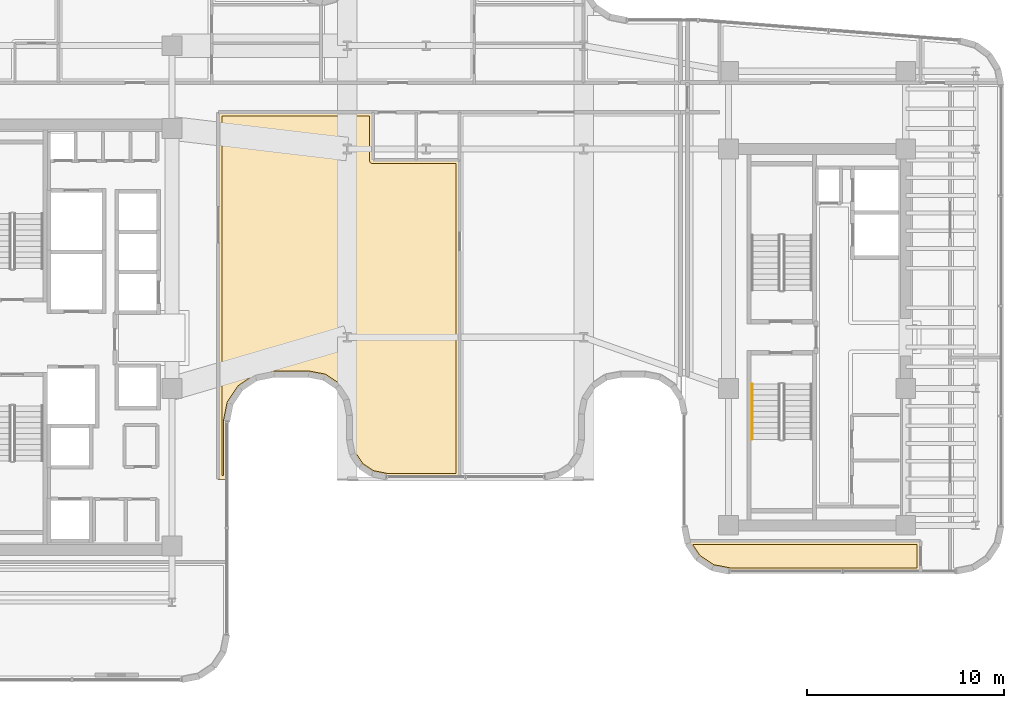
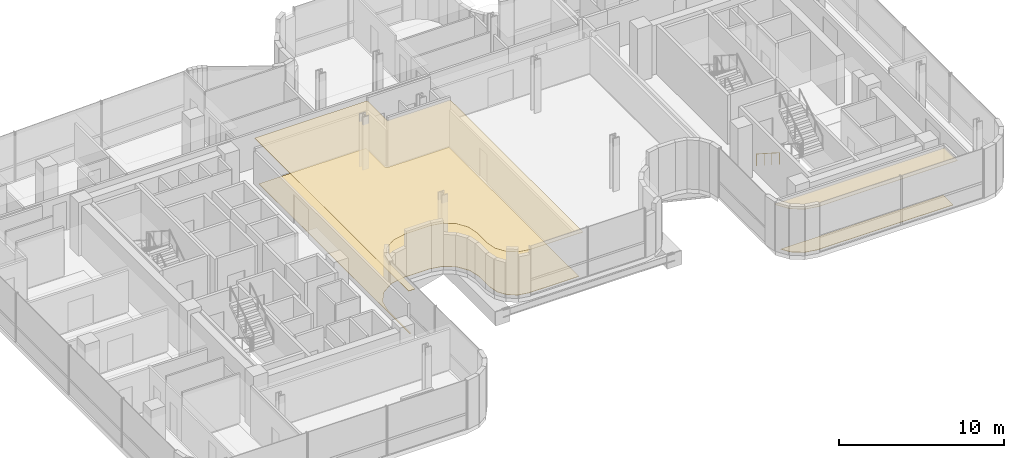
# One storey, part 35 of 39: 4 coverings, 1 railing.
"""IFC4 building model written with IfcOpenShell, lengths in metres."""

from ifc_helpers import new_model, si_unit, direction, frame, origin, origin_2d, place, context, subcontext, project, spatial, polyline, circle, outline, extrude, material, layer, layer_set, type_object, element, save


model = new_model("IFC4")

# Units and contexts
model_context = context("Model", 3, precision=1e-05, world=origin(), true_north=direction((0.0, 1.0)))
body_context = subcontext(model_context, "Body", "Model", "MODEL_VIEW")
ifc_project = project(units=[si_unit("LENGTHUNIT", "METRE"), si_unit("AREAUNIT", "SQUARE_METRE"), si_unit("VOLUMEUNIT", "CUBIC_METRE"), si_unit("PLANEANGLEUNIT", "RADIAN"), si_unit("MASSUNIT", "GRAM", prefix="KILO")], contexts=[model_context])

# Site, building, storey
site_placement = place(None, origin())
site = spatial("IfcSite", under=ifc_project, at=site_placement, CompositionType="ELEMENT")
building_placement = place(site_placement, origin())
building = spatial("IfcBuilding", under=site, at=building_placement, Name="Valdorenza Pilgrim Sanctuary Tower", CompositionType="ELEMENT")
storey_placement = place(building_placement, frame((0.0, 0.0, 184.449951171875)))
storey = spatial("IfcBuildingStorey", under=building, at=storey_placement, Name="L47", CompositionType="ELEMENT", Elevation=184.449951171875)

# Coverings
ifc_material_1 = material(Name="Micro-perforated acoustic mineral ceiling tile", Category="gypsum")
ifc_layer_1 = layer(ifc_material_1, 0.02490234375, Name="Micro-perforated acoustic mineral ceiling tile")
ifc_layer_set_1 = layer_set([ifc_layer_1], Name="Micro-perforated acoustic mineral ceiling tile")
covering_type_1 = type_object("IfcCoveringType", Name="COV-CLG-ACU", PredefinedType="CEILING", material=ifc_layer_set_1)
covering_1_placement = place(storey_placement, frame((0.0, 0.0, 3.330078125)))
element("IfcCovering", 1, at=covering_1_placement, inside=storey, type_object=covering_type_1, Name="L47 Congregational Prayer Hall Acoustic Ceiling", PredefinedType="CEILING", context=body_context, shape_type="SweptSolid", body=[
    extrude(outline(polyline([(-10.06494140625, 11.419921875), (-10.06494140625, 11.42138671875), (-10.064697265625, 11.4228515625), (-10.064453125, 11.42431640625), (-10.06396484375, 11.42578125), (-10.063232421875, 11.427001953125), (-10.0625, 11.42822265625), (-10.0615234375, 11.429443359375), (-10.060546875, 11.4306640625), (-10.0595703125, 11.431640625), (-10.058349609375, 11.4326171875), (-10.05712890625, 11.43310546875), (-10.0556640625, 11.433837890625), (-10.054443359375, 11.434326171875), (-10.052978515625, 11.434814453125), (-10.051513671875, 11.434814453125), (-10.050048828125, 11.43505859375), (-2.201904296875, 11.43505859375), (-2.200439453125, 11.434814453125), (-2.19921875, 11.434814453125), (-2.197509765625, 11.434326171875), (-2.1962890625, 11.433837890625), (-2.19482421875, 11.43310546875), (-2.193603515625, 11.4326171875), (-2.1923828125, 11.431640625), (-2.19140625, 11.4306640625), (-2.1904296875, 11.429443359375), (-2.189453125, 11.42822265625), (-2.188720703125, 11.427001953125), (-2.18798828125, 11.42578125), (-2.1875, 11.42431640625), (-2.187255859375, 11.4228515625), (-2.18701171875, 11.42138671875), (-2.18701171875, 11.419921875), (-2.18701171875, 9.012939453125), (-0.001708984375, 9.012939453125), (-0.001220703125, 9.01318359375), (0.00048828125, 9.01318359375), (0.001953125, 9.01318359375), (0.00341796875, 9.01318359375), (0.00390625, 9.012939453125), (2.199951171875, 9.012939453125), (2.201416015625, 9.012939453125), (2.202880859375, 9.0126953125), (2.204345703125, 9.012451171875), (2.205810546875, 9.011962890625), (2.20703125, 9.01123046875), (2.208251953125, 9.010498046875), (2.20947265625, 9.009521484375), (2.210693359375, 9.008544921875), (2.211669921875, 9.007568359375), (2.21240234375, 9.00634765625), (2.213134765625, 9.005126953125), (2.2138671875, 9.003662109375), (2.21435546875, 9.00244140625), (2.214599609375, 9.0009765625), (2.21484375, 8.99951171875), (2.215087890625, 8.998046875), (2.215087890625, -7.090087890625), (2.21484375, -7.091552734375), (2.214599609375, -7.093017578125), (2.21435546875, -7.094482421875), (2.2138671875, -7.095703125), (2.213134765625, -7.09716796875), (2.21240234375, -7.098388671875), (2.211669921875, -7.099609375), (2.210693359375, -7.1005859375), (2.20947265625, -7.1015625), (2.208251953125, -7.1025390625), (2.20703125, -7.103271484375), (2.205810546875, -7.10400390625), (2.204345703125, -7.1044921875), (2.202880859375, -7.104736328125), (2.201416015625, -7.10498046875), (2.199951171875, -7.10498046875), (-1.51318359375, -7.10498046875), (-1.5146484375, -7.10498046875), (-1.51611328125, -7.104736328125), (-2.240234375, -6.960693359375), (-2.24169921875, -6.960205078125), (-2.242919921875, -6.959716796875), (-2.244384765625, -6.959228515625), (-2.24560546875, -6.95849609375), (-2.85009765625, -6.554443359375), (-2.851318359375, -6.553466796875), (-2.8525390625, -6.552490234375), (-2.853515625, -6.551513671875), (-2.8544921875, -6.55029296875), (-3.258544921875, -5.945556640625), (-3.25927734375, -5.9443359375), (-3.259765625, -5.943115234375), (-3.26025390625, -5.941650390625), (-3.2607421875, -5.940185546875), (-3.40478515625, -5.216064453125), (-3.40478515625, -5.214599609375), (-3.405029296875, -5.213134765625), (-3.405029296875, -3.976318359375), (-3.405517578125, -3.966796875), (-3.406982421875, -3.95703125), (-3.55712890625, -3.20166015625), (-3.5595703125, -3.192138671875), (-3.5625, -3.183349609375), (-3.566650390625, -3.175048828125), (-3.571533203125, -3.166748046875), (-3.99951171875, -2.5263671875), (-4.00537109375, -2.5185546875), (-4.01171875, -2.51171875), (-4.0185546875, -2.50537109375), (-4.0263671875, -2.49951171875), (-4.666748046875, -2.071533203125), (-4.675048828125, -2.066650390625), (-4.683349609375, -2.0625), (-4.692138671875, -2.0595703125), (-4.70166015625, -2.05712890625), (-5.45703125, -1.906982421875), (-5.466796875, -1.905517578125), (-5.476318359375, -1.905029296875), (-7.219482421875, -1.905029296875), (-7.229248046875, -1.905517578125), (-7.239013671875, -1.906982421875), (-8.110595703125, -2.080322265625), (-8.1201171875, -2.082763671875), (-8.12890625, -2.085693359375), (-8.13720703125, -2.08984375), (-8.1455078125, -2.0947265625), (-8.884765625, -2.588623046875), (-8.892578125, -2.594482421875), (-8.8994140625, -2.6005859375), (-8.905517578125, -2.607421875), (-8.911376953125, -2.615234375), (-9.4052734375, -3.3544921875), (-9.41015625, -3.36279296875), (-9.414306640625, -3.37109375), (-9.417236328125, -3.3798828125), (-9.419677734375, -3.389404296875), (-9.593017578125, -4.260986328125), (-9.594482421875, -4.270751953125), (-9.594970703125, -4.280517578125), (-9.594970703125, -7.199951171875), (-9.59521484375, -7.201416015625), (-9.59521484375, -7.202880859375), (-9.595703125, -7.204345703125), (-9.59619140625, -7.205810546875), (-9.5966796875, -7.20703125), (-9.597412109375, -7.208251953125), (-9.598388671875, -7.20947265625), (-9.599365234375, -7.210693359375), (-9.6005859375, -7.211669921875), (-9.601806640625, -7.21240234375), (-9.602783203125, -7.213134765625), (-9.604248046875, -7.2138671875), (-9.605712890625, -7.21435546875), (-9.607177734375, -7.214599609375), (-9.6083984375, -7.21484375), (-9.610107421875, -7.215087890625), (-10.050048828125, -7.215087890625), (-10.051513671875, -7.21484375), (-10.052978515625, -7.214599609375), (-10.054443359375, -7.21435546875), (-10.0556640625, -7.2138671875), (-10.05712890625, -7.213134765625), (-10.058349609375, -7.21240234375), (-10.0595703125, -7.211669921875), (-10.060546875, -7.210693359375), (-10.0615234375, -7.20947265625), (-10.0625, -7.208251953125), (-10.063232421875, -7.20703125), (-10.06396484375, -7.205810546875), (-10.064453125, -7.204345703125), (-10.064697265625, -7.202880859375), (-10.06494140625, -7.201416015625), (-10.06494140625, -7.199951171875), (-10.06494140625, 11.419921875)])), origin(), (0.0, 0.0, 1.0), 0.02490234375),
])
covering_2_placement = place(storey_placement, frame((0.0, 0.0, 3.330078125)))
element("IfcCovering", 2, at=covering_2_placement, inside=storey, type_object=covering_type_1, Name="L47 Sacred Manuscript Archive L47-BS Acoustic Ceiling", PredefinedType="CEILING", context=body_context, shape_type="SweptSolid", body=[
    extrude(outline(polyline([(25.614990234375, -11.889892578125), (25.614990234375, -11.8916015625), (25.61474609375, -11.892822265625), (25.614501953125, -11.894287109375), (25.614013671875, -11.895751953125), (25.61328125, -11.897216796875), (25.612548828125, -11.898193359375), (25.611572265625, -11.8994140625), (25.610595703125, -11.900634765625), (25.609619140625, -11.901611328125), (25.6083984375, -11.902587890625), (25.607177734375, -11.9033203125), (25.605712890625, -11.90380859375), (25.6044921875, -11.904296875), (25.602783203125, -11.90478515625), (25.6015625, -11.90478515625), (25.60009765625, -11.905029296875), (15.910888671875, -11.905029296875), (15.909423828125, -11.90478515625), (15.907958984375, -11.90478515625), (15.021484375, -11.728515625), (15.020263671875, -11.72802734375), (15.018798828125, -11.7275390625), (15.017333984375, -11.726806640625), (15.01611328125, -11.726318359375), (14.27392578125, -11.230224609375), (14.272705078125, -11.2294921875), (14.271484375, -11.228515625), (14.2705078125, -11.227294921875), (14.269775390625, -11.22607421875), (13.773681640625, -10.48388671875), (13.773193359375, -10.482666015625), (13.7724609375, -10.481201171875), (13.77197265625, -10.479736328125), (13.771484375, -10.478515625), (13.74658203125, -10.352783203125), (13.746337890625, -10.3515625), (13.746337890625, -10.35009765625), (13.746337890625, -10.348388671875), (13.74658203125, -10.34716796875), (13.7470703125, -10.345703125), (13.74755859375, -10.34423828125), (13.748046875, -10.343017578125), (13.748779296875, -10.341796875), (13.749755859375, -10.340576171875), (13.750732421875, -10.33935546875), (13.751708984375, -10.33837890625), (13.7529296875, -10.33740234375), (13.75439453125, -10.3369140625), (13.755615234375, -10.336181640625), (13.757080078125, -10.335693359375), (13.75830078125, -10.335205078125), (13.760009765625, -10.335205078125), (13.761474609375, -10.3349609375), (25.60009765625, -10.3349609375), (25.6015625, -10.335205078125), (25.602783203125, -10.335205078125), (25.6044921875, -10.335693359375), (25.605712890625, -10.336181640625), (25.607177734375, -10.3369140625), (25.6083984375, -10.33740234375), (25.609619140625, -10.33837890625), (25.610595703125, -10.33935546875), (25.611572265625, -10.340576171875), (25.612548828125, -10.341796875), (25.61328125, -10.343017578125), (25.614013671875, -10.34423828125), (25.614501953125, -10.345703125), (25.61474609375, -10.34716796875), (25.614990234375, -10.348388671875), (25.614990234375, -10.35009765625), (25.614990234375, -11.889892578125)])), origin(), (0.0, 0.0, 1.0), 0.02490234375),
])
ifc_material_2 = material(Name="Honed travertine stone flooring", Category="masonry")
ifc_layer_2 = layer(ifc_material_2, 0.030029296875, Name="Honed travertine stone flooring")
ifc_layer_set_2 = layer_set([ifc_layer_2], Name="Honed travertine stone flooring")
covering_type_2 = type_object("IfcCoveringType", Name="COV-FLR-TRV", PredefinedType="FLOORING", material=ifc_layer_set_2)
covering_3_placement = place(storey_placement, origin())
element("IfcCovering", 3, at=covering_3_placement, inside=storey, type_object=covering_type_2, Name="L47 Congregational Prayer Hall Flooring", PredefinedType="FLOORING", context=body_context, shape_type="SweptSolid", body=[
    extrude(outline(polyline([(-9.8701171875, 11.239990234375), (-2.382080078125, 11.239990234375), (-2.382080078125, 9.0), (-2.3818359375, 8.9912109375), (-2.3818359375, 8.990966796875), (-2.3798828125, 8.973388671875), (-2.3798828125, 8.97314453125), (-2.376708984375, 8.955810546875), (-2.37646484375, 8.955810546875), (-2.371337890625, 8.938720703125), (-2.371337890625, 8.938720703125), (-2.364501953125, 8.92236328125), (-2.364501953125, 8.922119140625), (-2.356201171875, 8.906494140625), (-2.356201171875, 8.906494140625), (-2.34619140625, 8.8916015625), (-2.34619140625, 8.8916015625), (-2.3349609375, 8.8779296875), (-2.334716796875, 8.877685546875), (-2.322265625, 8.865234375), (-2.322021484375, 8.864990234375), (-2.30859375, 8.85400390625), (-2.308349609375, 8.853759765625), (-2.293701171875, 8.843994140625), (-2.29345703125, 8.84375), (-2.27783203125, 8.83544921875), (-2.277587890625, 8.83544921875), (-2.261474609375, 8.82861328125), (-2.26123046875, 8.82861328125), (-2.244384765625, 8.823486328125), (-2.244140625, 8.823486328125), (-2.226806640625, 8.820068359375), (-2.2265625, 8.820068359375), (-2.208984375, 8.818115234375), (-2.208740234375, 8.818115234375), (-2.199951171875, 8.818115234375), (0.0, 8.818115234375), (0.0009765625, 8.818115234375), (0.001708984375, 8.818115234375), (0.001953125, 8.818115234375), (2.02001953125, 8.818115234375), (2.02001953125, -6.909912109375), (-1.495361328125, -6.909912109375), (-2.1669921875, -6.7763671875), (-2.712158203125, -6.412109375), (-3.076416015625, -5.866943359375), (-3.2099609375, -5.1953125), (-3.2099609375, -3.97607421875), (-3.210205078125, -3.96728515625), (-3.210693359375, -3.956298828125), (-3.21240234375, -3.938720703125), (-3.214111328125, -3.927978515625), (-3.215576171875, -3.91943359375), (-3.365966796875, -3.1630859375), (-3.367919921875, -3.154541015625), (-3.37060546875, -3.14404296875), (-3.375732421875, -3.127197265625), (-3.37939453125, -3.1171875), (-3.385986328125, -3.1005859375), (-3.390625, -3.091064453125), (-3.39892578125, -3.075439453125), (-3.404541015625, -3.066162109375), (-3.4091796875, -3.05859375), (-3.837646484375, -2.417724609375), (-3.8427734375, -2.410400390625), (-3.84912109375, -2.40185546875), (-3.8603515625, -2.38818359375), (-3.86767578125, -2.380126953125), (-3.880126953125, -2.36767578125), (-3.88818359375, -2.3603515625), (-3.90185546875, -2.34912109375), (-3.910400390625, -2.3427734375), (-3.917724609375, -2.337646484375), (-4.55859375, -1.9091796875), (-4.566162109375, -1.904541015625), (-4.575439453125, -1.89892578125), (-4.591064453125, -1.890625), (-4.6005859375, -1.885986328125), (-4.6171875, -1.87939453125), (-4.627197265625, -1.875732421875), (-4.64404296875, -1.87060546875), (-4.654541015625, -1.867919921875), (-4.6630859375, -1.865966796875), (-5.41943359375, -1.715576171875), (-5.427978515625, -1.714111328125), (-5.438720703125, -1.71240234375), (-5.456298828125, -1.710693359375), (-5.46728515625, -1.710205078125), (-5.47607421875, -1.7099609375), (-7.219970703125, -1.7099609375), (-7.228759765625, -1.710205078125), (-7.239501953125, -1.710693359375), (-7.257080078125, -1.71240234375), (-7.267822265625, -1.714111328125), (-7.276611328125, -1.715576171875), (-8.149169921875, -1.88916015625), (-8.15771484375, -1.89111328125), (-8.168212890625, -1.893798828125), (-8.18505859375, -1.89892578125), (-8.1953125, -1.902587890625), (-8.211669921875, -1.9091796875), (-8.22119140625, -1.913818359375), (-8.23681640625, -1.922119140625), (-8.24609375, -1.927734375), (-8.253662109375, -1.9326171875), (-8.993408203125, -2.4267578125), (-9.00048828125, -2.431884765625), (-9.00927734375, -2.438232421875), (-9.02294921875, -2.449462890625), (-9.031005859375, -2.45654296875), (-9.04345703125, -2.468994140625), (-9.050537109375, -2.47705078125), (-9.061767578125, -2.49072265625), (-9.068115234375, -2.49951171875), (-9.0732421875, -2.506591796875), (-9.5673828125, -3.246337890625), (-9.572265625, -3.25390625), (-9.577880859375, -3.26318359375), (-9.586181640625, -3.27880859375), (-9.5908203125, -3.288330078125), (-9.597412109375, -3.3046875), (-9.60107421875, -3.31494140625), (-9.606201171875, -3.331787109375), (-9.60888671875, -3.34228515625), (-9.61083984375, -3.350830078125), (-9.784423828125, -4.223388671875), (-9.785888671875, -4.232177734375), (-9.78759765625, -4.242919921875), (-9.789306640625, -4.260498046875), (-9.789794921875, -4.271240234375), (-9.7900390625, -4.280029296875), (-9.7900390625, -7.02001953125), (-9.8701171875, -7.02001953125), (-9.8701171875, 11.239990234375)])), origin(), (0.0, 0.0, 1.0), 0.025146484375),
])
covering_4_placement = place(storey_placement, origin())
element("IfcCovering", 4, at=covering_4_placement, inside=storey, type_object=covering_type_2, Name="L47 Sacred Manuscript Archive L47-BS Flooring", PredefinedType="FLOORING", context=body_context, shape_type="SweptSolid", body=[
    extrude(outline(polyline([(14.039306640625, -10.530029296875), (25.419921875, -10.530029296875), (25.419921875, -11.7099609375), (15.9287109375, -11.7099609375), (15.0947265625, -11.544189453125), (14.412109375, -11.087890625), (14.039306640625, -10.530029296875)])), origin(), (0.0, 0.0, 1.0), 0.025146484375),
])

# Railing
ifc_material_3 = material(Name="Brushed stainless steel Grade 316", Category="steel")
railing_type = type_object("IfcRailingType", Name="RLG-HND-920", PredefinedType="HANDRAIL", material=ifc_material_3)
railing_placement = place(storey_placement, frame((17.050048828125, -2.3798828125, 0.1796875)))
element("IfcRailing", 5, at=railing_placement, inside=storey, type_object=railing_type, Name="L47 ST-B2 stair handrail 1", PredefinedType="HANDRAIL", context=body_context, shape_type="SweptSolid", body=[
    extrude(circle(Radius=0.02392578125, at=origin_2d()), frame((0.0, 0.0, 0.8759765625), z_axis=(0.0, -0.841809871826, 0.539774156196), x_axis=(1.0, 0.0, 0.0)), (0.0, 0.0, 1.0), 3.326171875),
    extrude(circle(Radius=0.02099609375, at=origin_2d()), origin(), (0.0, 0.0, 1.0), 0.851806640625),
    extrude(circle(Radius=0.02099609375, at=origin_2d()), frame((0.0, -0.933349609375, 0.598388671875)), (0.0, 0.0, 1.0), 0.851806640625),
    extrude(circle(Radius=0.02099609375, at=origin_2d()), frame((0.0, -1.86669921875, 1.197021484375)), (0.0, 0.0, 1.0), 0.851806640625),
    extrude(circle(Radius=0.02099609375, at=origin_2d()), frame((0.0, -2.800048828125, 1.79541015625)), (0.0, 0.0, 1.0), 0.851806640625),
])

save(model, "model.ifc")
